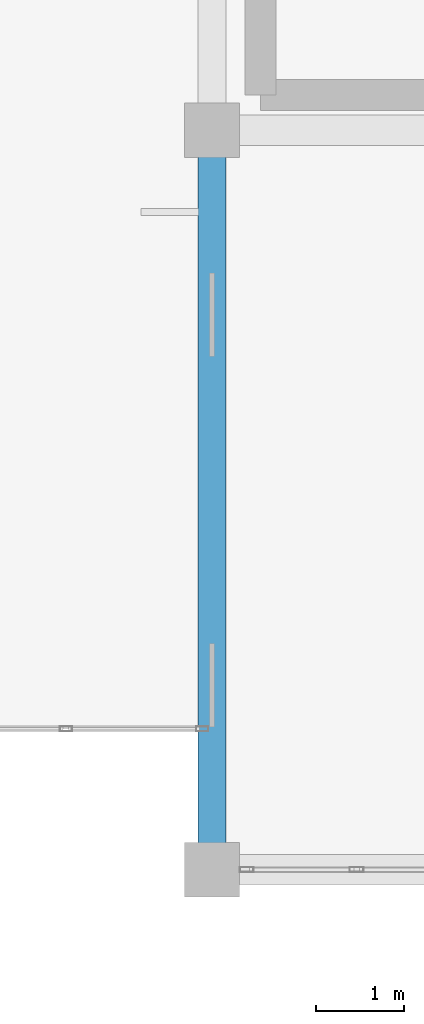
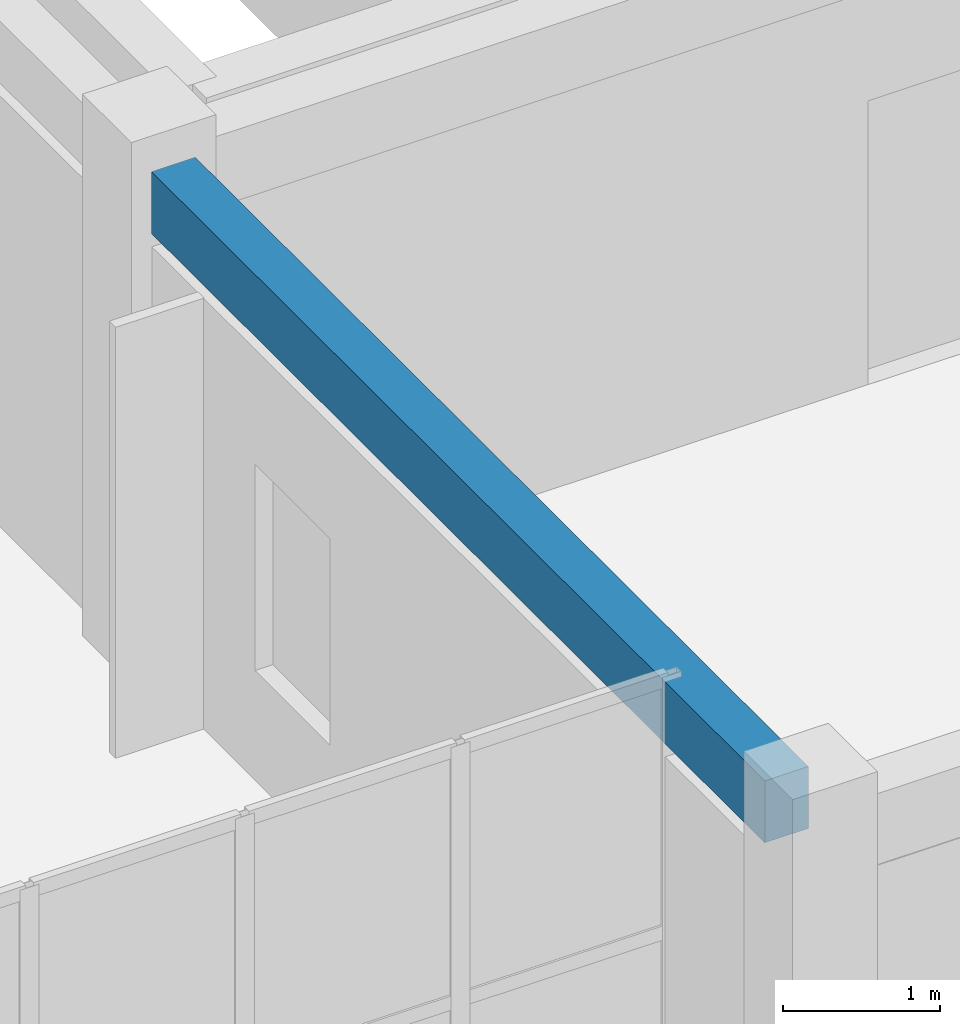
# One storey, part 16 of 81: 1 beam.
"""IFC4 building model written with IfcOpenShell, lengths in metres."""

import ifcopenshell
import ifcopenshell.guid

model = None  # the IFC model being written
_history = None  # IfcOwnerHistory: only IFC2X3 demands one
_inside = {}  # id of a spatial element -> (the spatial element, [elements in it])
_under = {}  # id of a project, library or spatial element -> (it, [spatial elements below it])
_declared = {}  # id of a project -> (the project, [libraries it declares])
_typed = {}  # id of a type object -> (the type object, [elements of that type])
_made_of = {}  # id of a material, layer set ... -> (it, [elements and type objects made of it])


def new_model(schema):
    """Start an empty IFC model of exactly this schema.

    Asked for "IFC4X3", IfcOpenShell would pick the latest addendum, in which some entities
    have other attributes; the version numbers below select the first issue.
    IFC2X3 requires an IfcOwnerHistory on every rooted entity: one is made here for all.
    """
    global model, _history
    if schema == "IFC4X3":
        model = ifcopenshell.file(schema_version=(4, 3, 0, 0))
    else:
        model = ifcopenshell.file(schema=schema)
    _inside.clear()
    _under.clear()
    _declared.clear()
    _typed.clear()
    _made_of.clear()
    _history = None
    if model.schema == "IFC2X3":
        org = make("IfcOrganization", Name="unknown")
        user = make(
            "IfcPersonAndOrganization",
            ThePerson=make("IfcPerson", FamilyName="unknown"),
            TheOrganization=org,
        )
        app = make(
            "IfcApplication",
            ApplicationDeveloper=org,
            Version="unknown",
            ApplicationFullName="unknown",
            ApplicationIdentifier="unknown",
        )
        _history = make(
            "IfcOwnerHistory",
            OwningUser=user,
            OwningApplication=app,
            ChangeAction="ADDED",
            CreationDate=0,
        )
    return model


def make(cls, **values):
    """One entity of the class cls with the attributes given. An attribute that is None is left unset."""
    return model.create_entity(
        cls, **{name: value for name, value in values.items() if value is not None}
    )


def rooted(cls, **values):
    """An entity with a GlobalId (a new one), such as an element, a storey or a relation."""
    return make(cls, GlobalId=ifcopenshell.guid.new(), OwnerHistory=_history, **values)


def si_unit(unit_type, name, prefix=None):
    """IfcSIUnit, for example si_unit("LENGTHUNIT", "METRE", prefix="MILLI")."""
    return make("IfcSIUnit", UnitType=unit_type, Prefix=prefix, Name=name)


def assignment(units):
    """IfcUnitAssignment: the units of a project."""
    return None if units is None else make("IfcUnitAssignment", Units=units)


def point(xyz):
    """IfcCartesianPoint."""
    return None if xyz is None else make("IfcCartesianPoint", Coordinates=xyz)


def direction(xyz):
    """IfcDirection."""
    return None if xyz is None else make("IfcDirection", DirectionRatios=xyz)


def frame(location, z_axis=None, x_axis=None):
    """IfcAxis2Placement3D, a coordinate frame: its origin and axes. An axis left out is left unset."""
    return make(
        "IfcAxis2Placement3D",
        Location=point(location),
        Axis=direction(z_axis),
        RefDirection=direction(x_axis),
    )


def frame_2d(location, x_axis=None):
    """IfcAxis2Placement2D, a coordinate frame in the plane: its origin and x axis."""
    return make(
        "IfcAxis2Placement2D", Location=point(location), RefDirection=direction(x_axis)
    )


def origin():
    """The frame at (0, 0, 0) with its axes left unset."""
    return frame((0.0, 0.0, 0.0))


def origin_2d():
    """The frame at (0, 0) in the plane with its x axis left unset."""
    return frame_2d((0.0, 0.0))


def place(relative_to, where):
    """IfcLocalPlacement: puts the frame where relative to a parent placement (None: the world)."""
    return make(
        "IfcLocalPlacement", PlacementRelTo=relative_to, RelativePlacement=where
    )


def context(
    kind, dimensions, precision=None, world=None, true_north=None, identifier=None
):
    """IfcGeometricRepresentationContext, for example the 3D "Model" context."""
    return make(
        "IfcGeometricRepresentationContext",
        ContextIdentifier=identifier,
        ContextType=kind,
        CoordinateSpaceDimension=dimensions,
        Precision=precision,
        WorldCoordinateSystem=world,
        TrueNorth=true_north,
    )


def subcontext(parent, identifier, kind, view, scale=None):
    """IfcGeometricRepresentationSubContext, for example "Body" below "Model"."""
    return make(
        "IfcGeometricRepresentationSubContext",
        ContextIdentifier=identifier,
        ContextType=kind,
        ParentContext=parent,
        TargetScale=scale,
        TargetView=view,
    )


def project(units=None, contexts=None):
    """IfcProject with its units and contexts."""
    return rooted(
        "IfcProject",
        Name="project",
        RepresentationContexts=contexts,
        UnitsInContext=assignment(units),
    )


def spatial(cls, under=None, at=None, **own):
    """A site, building, storey or space (cls), placed at a placement, below another one or the project."""
    s = rooted(cls, ObjectPlacement=at, **own)
    if under is not None:
        _under.setdefault(under.id(), (under, []))[1].append(s)
    return s


def profile(cls, at=None, kind="AREA", **sizes):
    """A parametric profile (cls). Its sizes go by their IFC names, for example OverallWidth=200.0."""
    return make(cls, ProfileType=kind, Position=at, **sizes)


def rectangle(**sizes):
    """IfcRectangleProfileDef."""
    return profile("IfcRectangleProfileDef", **sizes)


def extrude(swept, where, along, depth):
    """IfcExtrudedAreaSolid: the profile swept, set in the frame where, extruded along a direction by depth."""
    return make(
        "IfcExtrudedAreaSolid",
        SweptArea=swept,
        Position=where,
        ExtrudedDirection=direction(along),
        Depth=depth,
    )


def shape(context_of_items, identifier, shape_type, items):
    """IfcShapeRepresentation: the items that make up one representation, for example the "Body"."""
    return make(
        "IfcShapeRepresentation",
        ContextOfItems=context_of_items,
        RepresentationIdentifier=identifier,
        RepresentationType=shape_type,
        Items=items,
    )


def material(Name=None, Category=None):
    """IfcMaterial."""
    return make("IfcMaterial", Name=Name, Category=Category)


def material_profile(
    of_material, cross_section, Name=None, Category=None, Priority=None
):
    """IfcMaterialProfile: a cross section and its material."""
    return make(
        "IfcMaterialProfile",
        Name=Name,
        Material=of_material,
        Profile=cross_section,
        Priority=Priority,
        Category=Category,
    )


def profile_set(profiles, Name=None, composite=None):
    """IfcMaterialProfileSet."""
    return make(
        "IfcMaterialProfileSet",
        Name=Name,
        MaterialProfiles=profiles,
        CompositeProfile=composite,
    )


def made_of(thing, what):
    """Note that an element or type object is made of a material, layer set ...; save() writes the relation."""
    if what is not None:
        _made_of.setdefault(what.id(), (what, []))[1].append(thing)
    return thing


def type_object(cls, material=None, **own):
    """A type object (cls), such as IfcWallType, which elements share."""
    return made_of(rooted(cls, **own), material)


def element(
    cls,
    number,
    at=None,
    inside=None,
    cuts=None,
    type_object=None,
    material=None,
    context=None,
    identifier="Body",
    shape_type=None,
    held_by="IfcProductDefinitionShape",
    body=None,
    shapes=None,
    **own,
):
    """One element of the class cls, such as IfcWall. Its Tag is "e" and its number.

    at: its placement. inside: the storey or other place that contains it. cuts: it is an
    opening in that element (IfcRelVoidsElement). A single representation is given by context,
    identifier, shape_type and body (its items); several are given by shapes. held_by: the class
    of the entity that holds the representations. save() writes the other relations.
    """
    e = rooted(cls, Tag="e%d" % number, ObjectPlacement=at, **own)
    if body is not None:
        shapes = [shape(context, identifier, shape_type, body)]
    if shapes is not None:
        e.Representation = make(held_by, Representations=shapes)
    if inside is not None:
        _inside.setdefault(inside.id(), (inside, []))[1].append(e)
    if cuts is not None:
        rooted(
            "IfcRelVoidsElement", RelatingBuildingElement=cuts, RelatedOpeningElement=e
        )
    if type_object is not None:
        _typed.setdefault(type_object.id(), (type_object, []))[1].append(e)
    return made_of(e, material)


def aggregate(whole, parts):
    """IfcRelAggregates: a whole, such as a stair, and the parts it consists of."""
    return rooted("IfcRelAggregates", RelatingObject=whole, RelatedObjects=parts)


def save(model, path):
    """Write the relations noted so far, then the file.

    IfcRelAggregates (storeys below a building ...), IfcRelContainedInSpatialStructure (elements
    in a storey), IfcRelDefinesByType, IfcRelAssociatesMaterial and IfcRelDeclares: one each for
    every whole, place, type object, material and project.
    """
    for whole, parts in _under.values():
        aggregate(whole, parts)
    for where, things in _inside.values():
        rooted(
            "IfcRelContainedInSpatialStructure",
            RelatedElements=things,
            RelatingStructure=where,
        )
    for kind, things in _typed.values():
        rooted("IfcRelDefinesByType", RelatedObjects=things, RelatingType=kind)
    for what, things in _made_of.values():
        rooted("IfcRelAssociatesMaterial", RelatedObjects=things, RelatingMaterial=what)
    for by, libraries in _declared.values():
        rooted("IfcRelDeclares", RelatingContext=by, RelatedDefinitions=libraries)
    model.write(path)


model = new_model("IFC4")

# Units and contexts
model_context = context("Model", 3, precision=1e-05, world=origin(), true_north=direction((0.0, 1.0)))
body_context = subcontext(model_context, "Body", "Model", "MODEL_VIEW")
ifc_project = project(units=[si_unit("LENGTHUNIT", "METRE"), si_unit("AREAUNIT", "SQUARE_METRE"), si_unit("VOLUMEUNIT", "CUBIC_METRE"), si_unit("PLANEANGLEUNIT", "RADIAN"), si_unit("MASSUNIT", "GRAM", prefix="KILO")], contexts=[model_context])

# Site, building, storey
site_placement = place(None, origin())
site = spatial("IfcSite", under=ifc_project, at=site_placement, CompositionType="ELEMENT")
building_placement = place(site_placement, origin())
building = spatial("IfcBuilding", under=site, at=building_placement, Name="Trelvath General Hospital", CompositionType="ELEMENT")
storey_placement = place(building_placement, frame((0.0, 0.0, 24.60009765625)))
storey = spatial("IfcBuildingStorey", under=building, at=storey_placement, Name="L06", CompositionType="ELEMENT", Elevation=24.60009765625)

# Beam
ifc_material = material(Name="Concrete C35/45", Category="concrete")
ifc_material_profile = material_profile(ifc_material, rectangle(XDim=0.320068359375, YDim=0.47998046875, at=origin_2d()), Name="RCB320x480")
ifc_profile_set = profile_set([ifc_material_profile], Name="Concrete C35/45")
beam_type = type_object("IfcBeamType", Name="Beam RC320x480", PredefinedType="BEAM", material=ifc_profile_set)
beam_placement = place(storey_placement, frame((75.60009765625, 42.304931640625, 3.679931640625), z_axis=(0.0, 1.0, 0.0), x_axis=(-1.0, 0.0, 0.0)))
element("IfcBeam", 1, at=beam_placement, inside=storey, type_object=beam_type, Name="Grid Beam BY-609F", PredefinedType="BEAM", context=body_context, shape_type="SweptSolid", body=[
    extrude(rectangle(XDim=0.320068359375, YDim=0.47998046875, at=origin_2d()), origin(), (0.0, 0.0, 1.0), 7.7900390625),
])

save(model, "model.ifc")
